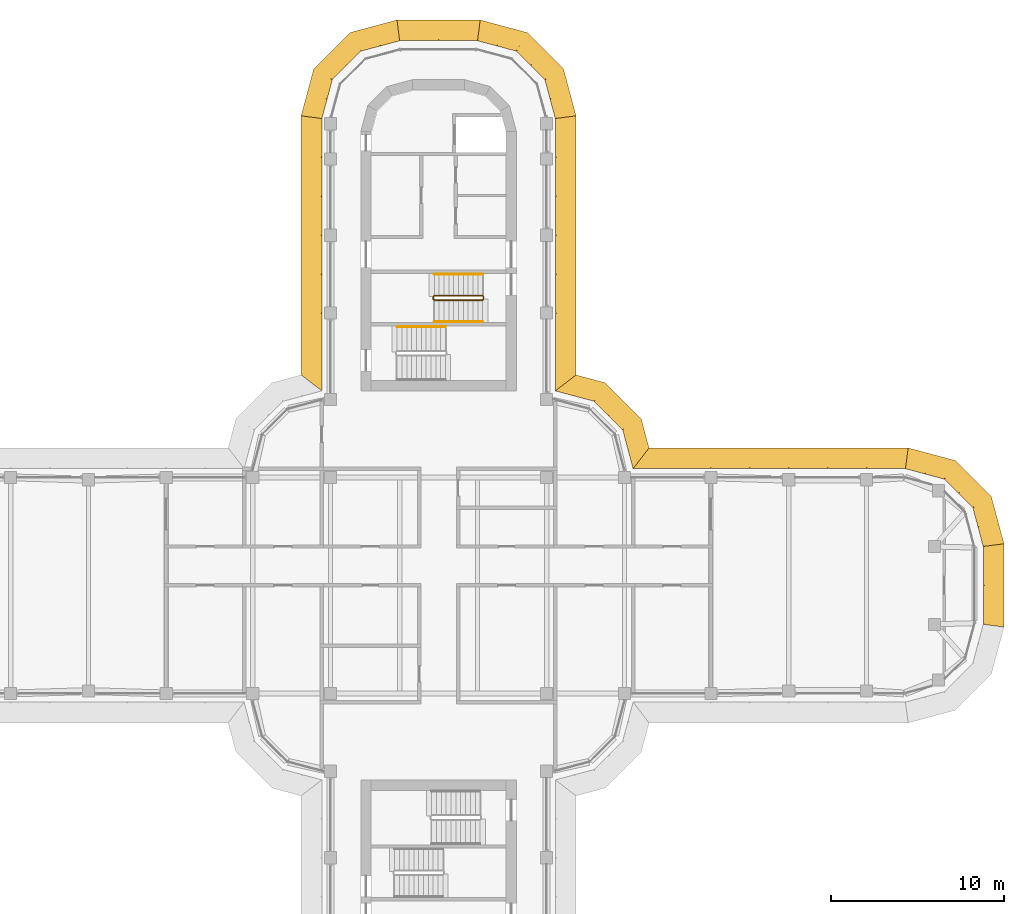
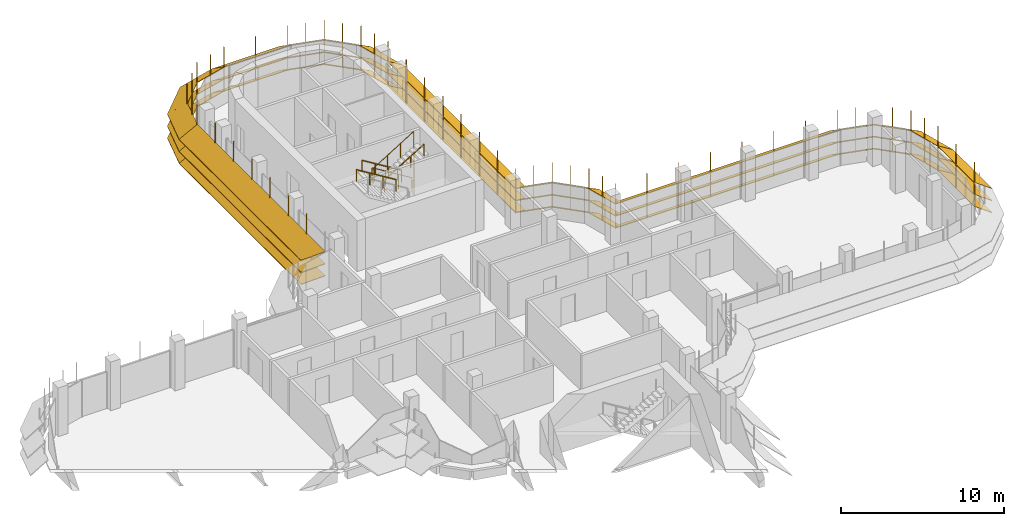
# One storey, part 18 of 18: 9 shading devices, 4 railings.
"""IFC4 building model written with IfcOpenShell, lengths in metres."""

from ifc_helpers import new_model, si_unit, direction, frame, origin, origin_2d, place, context, subcontext, project, spatial, polyline, circle, outline, extrude, faceted_brep, source, transform, mapped, material, type_object, element, save


model = new_model("IFC4")

# Units and contexts
model_context = context("Model", 3, precision=1e-05, world=origin(), true_north=direction((0.0, 1.0)))
body_context = subcontext(model_context, "Body", "Model", "MODEL_VIEW")
ifc_project = project(units=[si_unit("LENGTHUNIT", "METRE"), si_unit("AREAUNIT", "SQUARE_METRE"), si_unit("VOLUMEUNIT", "CUBIC_METRE"), si_unit("PLANEANGLEUNIT", "RADIAN"), si_unit("MASSUNIT", "GRAM", prefix="KILO")], contexts=[model_context])

# Site, building, storey
site_placement = place(None, origin())
site = spatial("IfcSite", under=ifc_project, at=site_placement, CompositionType="ELEMENT")
building_placement = place(site_placement, origin())
building = spatial("IfcBuilding", under=site, at=building_placement, Name="Zarbagh Exchange Tower", CompositionType="ELEMENT")
storey_placement = place(building_placement, frame((0.0, 0.0, 206.800048828125)))
storey = spatial("IfcBuildingStorey", under=building, at=storey_placement, Name="L50", CompositionType="ELEMENT", Elevation=206.800048828125)

# Railings
ifc_material_1 = material(Name="Stainless steel", Category="steel")
railing_type_1 = type_object("IfcRailingType", Name="Stair guard 1100 mm", PredefinedType="GUARDRAIL", material=ifc_material_1)
railing_1_placement = place(storey_placement, frame((2.550048828125, 16.75, 0.172607421875)))
element("IfcRailing", 1, at=railing_1_placement, inside=storey, type_object=railing_type_1, Name="ST1 stair guard 1", PredefinedType="GUARDRAIL", context=body_context, shape_type="SweptSolid", body=[
    extrude(circle(Radius=0.02392578125, at=origin_2d()), frame((0.0, 0.0, 1.076171875), z_axis=(-0.851089632645, 0.0, 0.525020415988), x_axis=(0.0, -1.0, 0.0)), (0.0, 0.0, 1.0), 3.2900390625),
    extrude(circle(Radius=0.02392578125, at=origin_2d()), frame((-2.800048828125, 0.0, 2.80322265625), z_axis=(-0.707106781187, -0.707106781187, 0.0), x_axis=(0.707106781187, -0.707106781187, 0.0)), (0.0, 0.0, 1.0), 0.07080078125),
    extrude(circle(Radius=0.02392578125, at=origin_2d()), frame((-2.85009765625, -0.050048828125, 2.80322265625), z_axis=(0.0, -1.0, 0.0), x_axis=(1.0, 0.0, 0.0)), (0.0, 0.0, 1.0), 0.14990234375),
    extrude(circle(Radius=0.02392578125, at=origin_2d()), frame((-2.85009765625, -0.199951171875, 2.80322265625), z_axis=(0.267953482034, -0.267953482034, 0.925419830635), x_axis=(0.707106781187, 0.707106781187, 0.0)), (0.0, 0.0, 1.0), 0.186767578125),
    extrude(circle(Radius=0.02392578125, at=origin_2d()), frame((-2.800048828125, -0.25, 2.97607421875), z_axis=(0.851089632645, 0.0, 0.525020415988), x_axis=(0.0, 1.0, 0.0)), (0.0, 0.0, 1.0), 3.2900390625),
    extrude(circle(Radius=0.02392578125, at=origin_2d()), frame((0.0, -0.25, 4.70361328125), z_axis=(0.013168290981, 0.013168290981, -0.999826581076), x_axis=(-0.707106781187, 0.707106781187, 0.0)), (0.0, 0.0, 1.0), 3.80078125),
    extrude(circle(Radius=0.02392578125, at=origin_2d()), frame((0.050048828125, -0.199951171875, 0.9033203125), z_axis=(0.0, 1.0, 0.0), x_axis=(-1.0, 0.0, 0.0)), (0.0, 0.0, 1.0), 0.14990234375),
    extrude(circle(Radius=0.02099609375, at=origin_2d()), origin(), (0.0, 0.0, 1.0), 1.052001953125),
    extrude(circle(Radius=0.02099609375, at=origin_2d()), frame((-0.933349609375, 0.0, 0.57568359375)), (0.0, 0.0, 1.0), 1.052001953125),
    extrude(circle(Radius=0.02099609375, at=origin_2d()), frame((-1.86669921875, 0.0, 1.151611328125)), (0.0, 0.0, 1.0), 1.052001953125),
    extrude(circle(Radius=0.02099609375, at=origin_2d()), frame((-2.800048828125, 0.0, 1.727294921875)), (0.0, 0.0, 1.0), 1.052001953125),
    extrude(circle(Radius=0.02099609375, at=origin_2d()), frame((-2.85009765625, -0.050048828125, 1.727294921875)), (0.0, 0.0, 1.0), 1.052001953125),
    extrude(circle(Radius=0.02099609375, at=origin_2d()), frame((-2.85009765625, -0.199951171875, 1.727294921875)), (0.0, 0.0, 1.0), 1.052001953125),
    extrude(circle(Radius=0.02099609375, at=origin_2d()), frame((-2.800048828125, -0.25, 1.900146484375)), (0.0, 0.0, 1.0), 1.052001953125),
    extrude(circle(Radius=0.02099609375, at=origin_2d()), frame((-1.86669921875, -0.25, 2.475830078125)), (0.0, 0.0, 1.0), 1.052001953125),
    extrude(circle(Radius=0.02099609375, at=origin_2d()), frame((-0.933349609375, -0.25, 3.0517578125)), (0.0, 0.0, 1.0), 1.052001953125),
    extrude(circle(Radius=0.02099609375, at=origin_2d()), frame((0.0, -0.25, 3.62744140625)), (0.0, 0.0, 1.0), 1.052001953125),
    extrude(circle(Radius=0.02099609375, at=origin_2d()), frame((0.012451171875, -0.237548828125, 2.677490234375)), (0.0, 0.0, 1.0), 1.052001953125),
    extrude(circle(Radius=0.02099609375, at=origin_2d()), frame((0.02490234375, -0.22509765625, 1.7275390625)), (0.0, 0.0, 1.0), 1.052001953125),
    extrude(circle(Radius=0.02099609375, at=origin_2d()), frame((0.03759765625, -0.21240234375, 0.77734375)), (0.0, 0.0, 1.0), 1.052001953125),
    extrude(circle(Radius=0.02099609375, at=origin_2d()), frame((0.050048828125, -0.199951171875, -0.172607421875)), (0.0, 0.0, 1.0), 1.052001953125),
    extrude(circle(Radius=0.02099609375, at=origin_2d()), frame((0.050048828125, -0.050048828125, -0.172607421875)), (0.0, 0.0, 1.0), 1.052001953125),
])
railing_type_2 = type_object("IfcRailingType", Name="Stair handrail 900 mm", PredefinedType="HANDRAIL", material=ifc_material_1)
railing_2_placement = place(storey_placement, frame((2.550048828125, 18.0, 0.172607421875)))
element("IfcRailing", 2, at=railing_2_placement, inside=storey, type_object=railing_type_2, Name="ST1 stair handrail 1", PredefinedType="HANDRAIL", context=body_context, shape_type="SweptSolid", body=[
    extrude(circle(Radius=0.02392578125, at=origin_2d()), frame((0.0, 0.0, 0.8759765625), z_axis=(-0.851089632645, 0.0, 0.525020415988), x_axis=(0.0, -1.0, 0.0)), (0.0, 0.0, 1.0), 3.2900390625),
    extrude(circle(Radius=0.02099609375, at=origin_2d()), origin(), (0.0, 0.0, 1.0), 0.851806640625),
    extrude(circle(Radius=0.02099609375, at=origin_2d()), frame((-0.933349609375, 0.0, 0.57568359375)), (0.0, 0.0, 1.0), 0.851806640625),
    extrude(circle(Radius=0.02099609375, at=origin_2d()), frame((-1.86669921875, 0.0, 1.151611328125)), (0.0, 0.0, 1.0), 0.851806640625),
    extrude(circle(Radius=0.02099609375, at=origin_2d()), frame((-2.800048828125, 0.0, 1.727294921875)), (0.0, 0.0, 1.0), 0.851806640625),
])
railing_3_placement = place(storey_placement, frame((-0.25, 15.25, 2.07275390625)))
element("IfcRailing", 3, at=railing_3_placement, inside=storey, type_object=railing_type_2, Name="ST1 stair handrail 2", PredefinedType="HANDRAIL", context=body_context, shape_type="SweptSolid", body=[
    extrude(circle(Radius=0.02392578125, at=origin_2d()), frame((0.0, 0.0, 0.8759765625), z_axis=(0.851089632645, 0.0, 0.525020415988), x_axis=(0.0, 1.0, 0.0)), (0.0, 0.0, 1.0), 3.2900390625),
    extrude(circle(Radius=0.02099609375, at=origin_2d()), origin(), (0.0, 0.0, 1.0), 0.851806640625),
    extrude(circle(Radius=0.02099609375, at=origin_2d()), frame((0.933349609375, 0.0, 0.57568359375)), (0.0, 0.0, 1.0), 0.851806640625),
    extrude(circle(Radius=0.02099609375, at=origin_2d()), frame((1.86669921875, 0.0, 1.151611328125)), (0.0, 0.0, 1.0), 0.851806640625),
    extrude(circle(Radius=0.02099609375, at=origin_2d()), frame((2.800048828125, 0.0, 1.727294921875)), (0.0, 0.0, 1.0), 0.851806640625),
])
railing_4_placement = place(storey_placement, frame((0.39990234375, 14.949951171875, 2.07275390625)))
element("IfcRailing", 4, at=railing_4_placement, inside=storey, type_object=railing_type_2, Name="ST2 stair handrail 2", PredefinedType="HANDRAIL", context=body_context, shape_type="SweptSolid", body=[
    extrude(circle(Radius=0.02392578125, at=origin_2d()), frame((0.0, 0.0, 0.8759765625), z_axis=(-0.851069175582, 0.0, 0.525053576669), x_axis=(0.0, -1.0, 0.0)), (0.0, 0.0, 1.0), 3.289794921875),
    extrude(circle(Radius=0.02099609375, at=origin_2d()), origin(), (0.0, 0.0, 1.0), 0.851806640625),
    extrude(circle(Radius=0.02099609375, at=origin_2d()), frame((-0.933349609375, 0.0, 0.57568359375)), (0.0, 0.0, 1.0), 0.851806640625),
    extrude(circle(Radius=0.02099609375, at=origin_2d()), frame((-1.866455078125, 0.0, 1.151611328125)), (0.0, 0.0, 1.0), 0.851806640625),
    extrude(circle(Radius=0.02099609375, at=origin_2d()), frame((-2.7998046875, 0.0, 1.727294921875)), (0.0, 0.0, 1.0), 0.851806640625),
])

# Shading devices
ifc_material_2 = material(Name="Anodised aluminium blades and brackets", Category="aluminium")
shading_device_type = type_object("IfcShadingDeviceType", Name="SUNSHADE louvre band, 33.75 degree blades", PredefinedType="JALOUSIE", material=ifc_material_2)
shared_shape_1 = source(origin(), body_context, "Body", "Brep", [
    faceted_brep([(0.0, 0.0, 0.0), (0.0, 0.0, -0.048095703125), (-0.157958984375, -1.199951171875, -0.849853515625), (-0.157958984375, -1.199951171875, -0.8017578125), (2.65087890625, -1.199951171875, -0.8017578125), (2.65087890625, -1.199951171875, -0.849853515625), (2.329345703125, 0.0, -0.048095703125), (2.329345703125, 0.0, 0.0)], [[[0, 1, 2, 3]], [[4, 5, 6, 7]], [[0, 7, 6, 1]], [[1, 6, 5, 2]], [[2, 5, 4, 3]], [[3, 4, 7, 0]]]),
])
shared_shape_2 = source(origin(), body_context, "Body", "Brep", [
    faceted_brep([(0.0, 0.0, 0.0), (0.0, 0.0, -0.048095703125), (-0.321533203125, -1.199951171875, -0.849853515625), (-0.321533203125, -1.199951171875, -0.8017578125), (2.65087890625, -1.199951171875, -0.8017578125), (2.65087890625, -1.199951171875, -0.849853515625), (2.329345703125, 0.0, -0.048095703125), (2.329345703125, 0.0, 0.0)], [[[0, 1, 2, 3]], [[4, 5, 6, 7]], [[0, 7, 6, 1]], [[1, 6, 5, 2]], [[2, 5, 4, 3]], [[3, 4, 7, 0]]]),
])
shared_shape_3 = source(origin(), body_context, "Body", "Brep", [
    faceted_brep([(0.0, 0.0, 0.0), (0.0, 0.0, -0.048095703125), (-0.321533203125, -1.199951171875, -0.849853515625), (-0.321533203125, -1.199951171875, -0.8017578125), (2.4873046875, -1.199951171875, -0.8017578125), (2.4873046875, -1.199951171875, -0.849853515625), (2.329345703125, 0.0, -0.048095703125), (2.329345703125, 0.0, 0.0)], [[[0, 1, 2, 3]], [[4, 5, 6, 7]], [[0, 7, 6, 1]], [[1, 6, 5, 2]], [[2, 5, 4, 3]], [[3, 4, 7, 0]]]),
])
shared_shape_4 = source(origin(), body_context, "Body", "SweptSolid", [
    extrude(outline(polyline([(0.0, -0.012451171875), (0.06005859375, -0.012451171875), (0.06005859375, 0.012451171875), (0.0, 0.012451171875), (0.0, -0.012451171875)])), origin(), (0.0, 0.0, 1.0), 3.358154296875),
])
placement = place(storey_placement, origin())
element("IfcShadingDevice", 5, at=placement, inside=storey, type_object=shading_device_type, Name="SS33 sunshade band", PredefinedType="JALOUSIE", context=body_context, shape_type="MappedRepresentation", body=[
    mapped(shared_shape_1, transform((31.5, 2.25, 2.300048828125), x_axis=(-0.258824779902, 0.965924289636, 0.0), y_axis=(-0.965924289636, -0.258824779902, 0.0), z_axis=(0.0, 0.0, 1.0))),
    mapped(shared_shape_1, transform((31.5, 2.25, 1.39990234375), x_axis=(-0.258824779902, 0.965924289636, 0.0), y_axis=(-0.965924289636, -0.258824779902, 0.0), z_axis=(0.0, 0.0, 1.0))),
    mapped(shared_shape_1, transform((31.5, 2.25, 0.5), x_axis=(-0.258824779902, 0.965924289636, 0.0), y_axis=(-0.965924289636, -0.258824779902, 0.0), z_axis=(0.0, 0.0, 1.0))),
    mapped(shared_shape_2, transform((30.897216796875, 4.5, 2.300048828125), x_axis=(-0.707106781187, 0.707106781187, 0.0), y_axis=(-0.707106781187, -0.707106781187, 0.0), z_axis=(0.0, 0.0, 1.0))),
    mapped(shared_shape_2, transform((30.897216796875, 4.5, 1.39990234375), x_axis=(-0.707106781187, 0.707106781187, 0.0), y_axis=(-0.707106781187, -0.707106781187, 0.0), z_axis=(0.0, 0.0, 1.0))),
    mapped(shared_shape_2, transform((30.897216796875, 4.5, 0.5), x_axis=(-0.707106781187, 0.707106781187, 0.0), y_axis=(-0.707106781187, -0.707106781187, 0.0), z_axis=(0.0, 0.0, 1.0))),
    mapped(shared_shape_3, transform((29.25, 6.147216796875, 2.300048828125), x_axis=(-0.965924289636, 0.258824779902, 0.0), y_axis=(-0.258824779902, -0.965924289636, 0.0), z_axis=(0.0, 0.0, 1.0))),
    mapped(shared_shape_3, transform((29.25, 6.147216796875, 1.39990234375), x_axis=(-0.965924289636, 0.258824779902, 0.0), y_axis=(-0.258824779902, -0.965924289636, 0.0), z_axis=(0.0, 0.0, 1.0))),
    mapped(shared_shape_3, transform((29.25, 6.147216796875, 0.5), x_axis=(-0.965924289636, 0.258824779902, 0.0), y_axis=(-0.258824779902, -0.965924289636, 0.0), z_axis=(0.0, 0.0, 1.0))),
    mapped(shared_shape_4, transform((31.5, 2.25, 0.421875), x_axis=(0.991444457092, 0.130529263012, 0.0), y_axis=(-0.130529263012, 0.991444457092, 0.0), z_axis=(0.0, 0.0, 1.0))),
    mapped(shared_shape_4, transform((31.198486328125, 3.375, 0.421875), x_axis=(0.96592421511, 0.258825058029, 0.0), y_axis=(-0.258825058029, 0.96592421511, 0.0), z_axis=(0.0, 0.0, 1.0))),
    mapped(shared_shape_4, transform((30.897216796875, 4.5, 0.421875), x_axis=(0.866023812018, 0.50000275701, 0.0), y_axis=(-0.50000275701, 0.866023812018, 0.0), z_axis=(0.0, 0.0, 1.0))),
    mapped(shared_shape_4, transform((30.073486328125, 5.323486328125, 0.421875), x_axis=(0.707106781187, 0.707106781187, 0.0), y_axis=(-0.707106781187, 0.707106781187, 0.0), z_axis=(0.0, 0.0, 1.0))),
    mapped(shared_shape_4, transform((29.25, 6.147216796875, 0.421875), x_axis=(0.50000275701, 0.866023812018, 0.0), y_axis=(-0.866023812018, 0.50000275701, 0.0), z_axis=(0.0, 0.0, 1.0))),
    mapped(shared_shape_4, transform((28.125, 6.448486328125, 0.421875), x_axis=(0.258825058029, 0.96592421511, 0.0), y_axis=(-0.96592421511, 0.258825058029, 0.0), z_axis=(0.0, 0.0, 1.0))),
])
element("IfcShadingDevice", 6, at=placement, inside=storey, type_object=shading_device_type, Name="SS26 sunshade band", PredefinedType="JALOUSIE", context=body_context, shape_type="MappedRepresentation", body=[
    mapped(shared_shape_1, transform((6.75, 27.0, 2.300048828125), x_axis=(-0.258824779902, 0.965924289636, 0.0), y_axis=(-0.965924289636, -0.258824779902, 0.0), z_axis=(0.0, 0.0, 1.0))),
    mapped(shared_shape_1, transform((6.75, 27.0, 1.39990234375), x_axis=(-0.258824779902, 0.965924289636, 0.0), y_axis=(-0.965924289636, -0.258824779902, 0.0), z_axis=(0.0, 0.0, 1.0))),
    mapped(shared_shape_1, transform((6.75, 27.0, 0.5), x_axis=(-0.258824779902, 0.965924289636, 0.0), y_axis=(-0.965924289636, -0.258824779902, 0.0), z_axis=(0.0, 0.0, 1.0))),
    mapped(shared_shape_2, transform((6.147216796875, 29.25, 2.300048828125), x_axis=(-0.707106781187, 0.707106781187, 0.0), y_axis=(-0.707106781187, -0.707106781187, 0.0), z_axis=(0.0, 0.0, 1.0))),
    mapped(shared_shape_2, transform((6.147216796875, 29.25, 1.39990234375), x_axis=(-0.707106781187, 0.707106781187, 0.0), y_axis=(-0.707106781187, -0.707106781187, 0.0), z_axis=(0.0, 0.0, 1.0))),
    mapped(shared_shape_2, transform((6.147216796875, 29.25, 0.5), x_axis=(-0.707106781187, 0.707106781187, 0.0), y_axis=(-0.707106781187, -0.707106781187, 0.0), z_axis=(0.0, 0.0, 1.0))),
    mapped(shared_shape_3, transform((4.5, 30.897216796875, 2.300048828125), x_axis=(-0.965924289636, 0.258824779902, 0.0), y_axis=(-0.258824779902, -0.965924289636, 0.0), z_axis=(0.0, 0.0, 1.0))),
    mapped(shared_shape_3, transform((4.5, 30.897216796875, 1.39990234375), x_axis=(-0.965924289636, 0.258824779902, 0.0), y_axis=(-0.258824779902, -0.965924289636, 0.0), z_axis=(0.0, 0.0, 1.0))),
    mapped(shared_shape_3, transform((4.5, 30.897216796875, 0.5), x_axis=(-0.965924289636, 0.258824779902, 0.0), y_axis=(-0.258824779902, -0.965924289636, 0.0), z_axis=(0.0, 0.0, 1.0))),
    mapped(shared_shape_4, transform((6.75, 27.0, 0.421875), x_axis=(0.991444457092, 0.130529263012, 0.0), y_axis=(-0.130529263012, 0.991444457092, 0.0), z_axis=(0.0, 0.0, 1.0))),
    mapped(shared_shape_4, transform((6.448486328125, 28.125, 0.421875), x_axis=(0.96592421511, 0.258825058029, 0.0), y_axis=(-0.258825058029, 0.96592421511, 0.0), z_axis=(0.0, 0.0, 1.0))),
    mapped(shared_shape_4, transform((6.147216796875, 29.25, 0.421875), x_axis=(0.866023812018, 0.50000275701, 0.0), y_axis=(-0.50000275701, 0.866023812018, 0.0), z_axis=(0.0, 0.0, 1.0))),
    mapped(shared_shape_4, transform((5.323486328125, 30.073486328125, 0.421875), x_axis=(0.707106781187, 0.707106781187, 0.0), y_axis=(-0.707106781187, 0.707106781187, 0.0), z_axis=(0.0, 0.0, 1.0))),
    mapped(shared_shape_4, transform((4.5, 30.897216796875, 0.421875), x_axis=(0.50000275701, 0.866023812018, 0.0), y_axis=(-0.866023812018, 0.50000275701, 0.0), z_axis=(0.0, 0.0, 1.0))),
    mapped(shared_shape_4, transform((3.375, 31.198486328125, 0.421875), x_axis=(0.258825058029, 0.96592421511, 0.0), y_axis=(-0.96592421511, 0.258825058029, 0.0), z_axis=(0.0, 0.0, 1.0))),
])
element("IfcShadingDevice", 7, at=placement, inside=storey, type_object=shading_device_type, Name="SS28 sunshade band", PredefinedType="JALOUSIE", context=body_context, shape_type="MappedRepresentation", body=[
    mapped(shared_shape_1, transform((-2.25, 31.5, 2.300048828125), x_axis=(-0.965924289636, -0.258824779902, 0.0), y_axis=(0.258824779902, -0.965924289636, 0.0), z_axis=(0.0, 0.0, 1.0))),
    mapped(shared_shape_1, transform((-2.25, 31.5, 1.39990234375), x_axis=(-0.965924289636, -0.258824779902, 0.0), y_axis=(0.258824779902, -0.965924289636, 0.0), z_axis=(0.0, 0.0, 1.0))),
    mapped(shared_shape_1, transform((-2.25, 31.5, 0.5), x_axis=(-0.965924289636, -0.258824779902, 0.0), y_axis=(0.258824779902, -0.965924289636, 0.0), z_axis=(0.0, 0.0, 1.0))),
    mapped(shared_shape_2, transform((-4.5, 30.897216796875, 2.300048828125), x_axis=(-0.707106781187, -0.707106781187, 0.0), y_axis=(0.707106781187, -0.707106781187, 0.0), z_axis=(0.0, 0.0, 1.0))),
    mapped(shared_shape_2, transform((-4.5, 30.897216796875, 1.39990234375), x_axis=(-0.707106781187, -0.707106781187, 0.0), y_axis=(0.707106781187, -0.707106781187, 0.0), z_axis=(0.0, 0.0, 1.0))),
    mapped(shared_shape_2, transform((-4.5, 30.897216796875, 0.5), x_axis=(-0.707106781187, -0.707106781187, 0.0), y_axis=(0.707106781187, -0.707106781187, 0.0), z_axis=(0.0, 0.0, 1.0))),
    mapped(shared_shape_3, transform((-6.147216796875, 29.25, 2.300048828125), x_axis=(-0.258824779902, -0.965924289636, 0.0), y_axis=(0.965924289636, -0.258824779902, 0.0), z_axis=(0.0, 0.0, 1.0))),
    mapped(shared_shape_3, transform((-6.147216796875, 29.25, 1.39990234375), x_axis=(-0.258824779902, -0.965924289636, 0.0), y_axis=(0.965924289636, -0.258824779902, 0.0), z_axis=(0.0, 0.0, 1.0))),
    mapped(shared_shape_3, transform((-6.147216796875, 29.25, 0.5), x_axis=(-0.258824779902, -0.965924289636, 0.0), y_axis=(0.965924289636, -0.258824779902, 0.0), z_axis=(0.0, 0.0, 1.0))),
    mapped(shared_shape_4, transform((-2.25, 31.5, 0.421875), x_axis=(-0.130529263012, 0.991444457092, 0.0), y_axis=(-0.991444457092, -0.130529263012, 0.0), z_axis=(0.0, 0.0, 1.0))),
    mapped(shared_shape_4, transform((-3.375, 31.198486328125, 0.421875), x_axis=(-0.258825058029, 0.96592421511, 0.0), y_axis=(-0.96592421511, -0.258825058029, 0.0), z_axis=(0.0, 0.0, 1.0))),
    mapped(shared_shape_4, transform((-4.5, 30.897216796875, 0.421875), x_axis=(-0.50000275701, 0.866023812018, 0.0), y_axis=(-0.866023812018, -0.50000275701, 0.0), z_axis=(0.0, 0.0, 1.0))),
    mapped(shared_shape_4, transform((-5.323486328125, 30.073486328125, 0.421875), x_axis=(-0.707106781187, 0.707106781187, 0.0), y_axis=(-0.707106781187, -0.707106781187, 0.0), z_axis=(0.0, 0.0, 1.0))),
    mapped(shared_shape_4, transform((-6.147216796875, 29.25, 0.421875), x_axis=(-0.866023812018, 0.50000275701, 0.0), y_axis=(-0.50000275701, -0.866023812018, 0.0), z_axis=(0.0, 0.0, 1.0))),
    mapped(shared_shape_4, transform((-6.448486328125, 28.125, 0.421875), x_axis=(-0.96592421511, 0.258825058029, 0.0), y_axis=(-0.258825058029, -0.96592421511, 0.0), z_axis=(0.0, 0.0, 1.0))),
])
shared_shape_5 = source(origin(), body_context, "Body", "Brep", [
    faceted_brep([(0.0, 0.0, 0.0), (0.0, 0.0, -0.048095703125), (0.9208984375, -1.199951171875, -0.849853515625), (0.9208984375, -1.199951171875, -0.8017578125), (2.65087890625, -1.199951171875, -0.8017578125), (2.65087890625, -1.199951171875, -0.849853515625), (2.329345703125, 0.0, -0.048095703125), (2.329345703125, 0.0, 0.0)], [[[0, 1, 2, 3]], [[4, 5, 6, 7]], [[0, 7, 6, 1]], [[1, 6, 5, 2]], [[2, 5, 4, 3]], [[3, 4, 7, 0]]]),
])
shared_shape_6 = source(origin(), body_context, "Body", "Brep", [
    faceted_brep([(0.0, 0.0, 0.0), (0.0, 0.0, -0.048095703125), (-0.321533203125, -1.199951171875, -0.849853515625), (-0.321533203125, -1.199951171875, -0.8017578125), (1.40869140625, -1.199951171875, -0.8017578125), (1.40869140625, -1.199951171875, -0.849853515625), (2.329345703125, 0.0, -0.048095703125), (2.329345703125, 0.0, 0.0)], [[[0, 1, 2, 3]], [[4, 5, 6, 7]], [[0, 7, 6, 1]], [[1, 6, 5, 2]], [[2, 5, 4, 3]], [[3, 4, 7, 0]]]),
])
element("IfcShadingDevice", 8, at=placement, inside=storey, type_object=shading_device_type, Name="SS09 sunshade band", PredefinedType="JALOUSIE", context=body_context, shape_type="MappedRepresentation", body=[
    mapped(shared_shape_5, transform((11.25, 6.75, 2.300048828125), x_axis=(-0.258824779902, 0.965924289636, 0.0), y_axis=(-0.965924289636, -0.258824779902, 0.0), z_axis=(0.0, 0.0, 1.0))),
    mapped(shared_shape_5, transform((11.25, 6.75, 1.39990234375), x_axis=(-0.258824779902, 0.965924289636, 0.0), y_axis=(-0.965924289636, -0.258824779902, 0.0), z_axis=(0.0, 0.0, 1.0))),
    mapped(shared_shape_5, transform((11.25, 6.75, 0.5), x_axis=(-0.258824779902, 0.965924289636, 0.0), y_axis=(-0.965924289636, -0.258824779902, 0.0), z_axis=(0.0, 0.0, 1.0))),
    mapped(shared_shape_2, transform((10.647216796875, 9.0, 2.300048828125), x_axis=(-0.707106781187, 0.707106781187, 0.0), y_axis=(-0.707106781187, -0.707106781187, 0.0), z_axis=(0.0, 0.0, 1.0))),
    mapped(shared_shape_2, transform((10.647216796875, 9.0, 1.39990234375), x_axis=(-0.707106781187, 0.707106781187, 0.0), y_axis=(-0.707106781187, -0.707106781187, 0.0), z_axis=(0.0, 0.0, 1.0))),
    mapped(shared_shape_2, transform((10.647216796875, 9.0, 0.5), x_axis=(-0.707106781187, 0.707106781187, 0.0), y_axis=(-0.707106781187, -0.707106781187, 0.0), z_axis=(0.0, 0.0, 1.0))),
    mapped(shared_shape_6, transform((9.0, 10.647216796875, 2.300048828125), x_axis=(-0.965924289636, 0.258824779902, 0.0), y_axis=(-0.258824779902, -0.965924289636, 0.0), z_axis=(0.0, 0.0, 1.0))),
    mapped(shared_shape_6, transform((9.0, 10.647216796875, 1.39990234375), x_axis=(-0.965924289636, 0.258824779902, 0.0), y_axis=(-0.258824779902, -0.965924289636, 0.0), z_axis=(0.0, 0.0, 1.0))),
    mapped(shared_shape_6, transform((9.0, 10.647216796875, 0.5), x_axis=(-0.965924289636, 0.258824779902, 0.0), y_axis=(-0.258824779902, -0.965924289636, 0.0), z_axis=(0.0, 0.0, 1.0))),
    mapped(shared_shape_4, transform((11.25, 6.75, 0.421875), x_axis=(0.608758892, 0.793355287, 0.0), y_axis=(-0.793355287, 0.608758892, 0.0), z_axis=(0.0, 0.0, 1.0))),
    mapped(shared_shape_4, transform((10.948486328125, 7.875, 0.421875), x_axis=(0.96592421511, 0.258825058029, 0.0), y_axis=(-0.258825058029, 0.96592421511, 0.0), z_axis=(0.0, 0.0, 1.0))),
    mapped(shared_shape_4, transform((10.647216796875, 9.0, 0.421875), x_axis=(0.866023812018, 0.50000275701, 0.0), y_axis=(-0.50000275701, 0.866023812018, 0.0), z_axis=(0.0, 0.0, 1.0))),
    mapped(shared_shape_4, transform((9.823486328125, 9.823486328125, 0.421875), x_axis=(0.707106781187, 0.707106781187, 0.0), y_axis=(-0.707106781187, 0.707106781187, 0.0), z_axis=(0.0, 0.0, 1.0))),
    mapped(shared_shape_4, transform((9.0, 10.647216796875, 0.421875), x_axis=(0.50000275701, 0.866023812018, 0.0), y_axis=(-0.866023812018, 0.50000275701, 0.0), z_axis=(0.0, 0.0, 1.0))),
    mapped(shared_shape_4, transform((7.875, 10.948486328125, 0.421875), x_axis=(0.258825058029, 0.96592421511, 0.0), y_axis=(-0.96592421511, 0.258825058029, 0.0), z_axis=(0.0, 0.0, 1.0))),
])
shared_shape_7 = source(origin(), body_context, "Body", "Brep", [
    faceted_brep([(0.0, 0.0, 0.0), (0.0, 0.0, -0.048095703125), (-0.157958984375, -1.199951171875, -0.849853515625), (-0.157958984375, -1.199951171875, -0.8017578125), (4.657958984375, -1.199951171875, -0.8017578125), (4.657958984375, -1.199951171875, -0.849853515625), (4.5, 0.0, -0.048095703125), (4.5, 0.0, 0.0)], [[[0, 1, 2, 3]], [[4, 5, 6, 7]], [[0, 7, 6, 1]], [[1, 6, 5, 2]], [[2, 5, 4, 3]], [[3, 4, 7, 0]]]),
])
element("IfcShadingDevice", 9, at=placement, inside=storey, type_object=shading_device_type, Name="SS32 sunshade band", PredefinedType="JALOUSIE", context=body_context, shape_type="MappedRepresentation", body=[
    mapped(shared_shape_7, transform((31.5, -2.25, 2.300048828125), x_axis=(0.0, 1.0, 0.0), y_axis=(-1.0, 0.0, 0.0), z_axis=(0.0, 0.0, 1.0))),
    mapped(shared_shape_7, transform((31.5, -2.25, 1.39990234375), x_axis=(0.0, 1.0, 0.0), y_axis=(-1.0, 0.0, 0.0), z_axis=(0.0, 0.0, 1.0))),
    mapped(shared_shape_7, transform((31.5, -2.25, 0.5), x_axis=(0.0, 1.0, 0.0), y_axis=(-1.0, 0.0, 0.0), z_axis=(0.0, 0.0, 1.0))),
    mapped(shared_shape_4, transform((31.5, -2.25, 0.421875), x_axis=(0.991444457092, -0.130529263012, 0.0), y_axis=(0.130529263012, 0.991444457092, 0.0), z_axis=(0.0, 0.0, 1.0))),
    mapped(shared_shape_4, transform((31.5, 0.0, 0.421875), x_axis=(1.0, 0.0, 0.0), y_axis=(0.0, 1.0, 0.0), z_axis=(0.0, 0.0, 1.0))),
])
shared_shape_8 = source(origin(), body_context, "Body", "Brep", [
    faceted_brep([(0.0, 0.0, 0.0), (0.0, 0.0, -0.048095703125), (-0.157958984375, -1.199951171875, -0.849853515625), (-0.157958984375, -1.199951171875, -0.8017578125), (14.8291015625, -1.199951171875, -0.8017578125), (14.8291015625, -1.199951171875, -0.849853515625), (15.75, 0.0, -0.048095703125), (15.75, 0.0, 0.0)], [[[0, 1, 2, 3]], [[4, 5, 6, 7]], [[0, 7, 6, 1]], [[1, 6, 5, 2]], [[2, 5, 4, 3]], [[3, 4, 7, 0]]]),
])
element("IfcShadingDevice", 10, at=placement, inside=storey, type_object=shading_device_type, Name="SS34 sunshade band", PredefinedType="JALOUSIE", context=body_context, shape_type="MappedRepresentation", body=[
    mapped(shared_shape_8, transform((27.0, 6.75, 2.300048828125), x_axis=(-1.0, 0.0, 0.0), y_axis=(0.0, -1.0, 0.0), z_axis=(0.0, 0.0, 1.0))),
    mapped(shared_shape_8, transform((27.0, 6.75, 1.39990234375), x_axis=(-1.0, 0.0, 0.0), y_axis=(0.0, -1.0, 0.0), z_axis=(0.0, 0.0, 1.0))),
    mapped(shared_shape_8, transform((27.0, 6.75, 0.5), x_axis=(-1.0, 0.0, 0.0), y_axis=(0.0, -1.0, 0.0), z_axis=(0.0, 0.0, 1.0))),
    mapped(shared_shape_4, transform((27.0, 6.75, 0.421875), x_axis=(0.130529263012, 0.991444457092, 0.0), y_axis=(-0.991444457092, 0.130529263012, 0.0), z_axis=(0.0, 0.0, 1.0))),
    mapped(shared_shape_4, transform((24.75, 6.75, 0.421875), x_axis=(0.0, 1.0, 0.0), y_axis=(-1.0, 0.0, 0.0), z_axis=(0.0, 0.0, 1.0))),
    mapped(shared_shape_4, transform((22.5, 6.75, 0.421875), x_axis=(0.0, 1.0, 0.0), y_axis=(-1.0, 0.0, 0.0), z_axis=(0.0, 0.0, 1.0))),
    mapped(shared_shape_4, transform((20.25, 6.75, 0.421875), x_axis=(0.0, 1.0, 0.0), y_axis=(-1.0, 0.0, 0.0), z_axis=(0.0, 0.0, 1.0))),
    mapped(shared_shape_4, transform((18.0, 6.75, 0.421875), x_axis=(0.0, 1.0, 0.0), y_axis=(-1.0, 0.0, 0.0), z_axis=(0.0, 0.0, 1.0))),
    mapped(shared_shape_4, transform((15.75, 6.75, 0.421875), x_axis=(0.0, 1.0, 0.0), y_axis=(-1.0, 0.0, 0.0), z_axis=(0.0, 0.0, 1.0))),
    mapped(shared_shape_4, transform((13.5, 6.75, 0.421875), x_axis=(0.0, 1.0, 0.0), y_axis=(-1.0, 0.0, 0.0), z_axis=(0.0, 0.0, 1.0))),
])
shared_shape_9 = source(origin(), body_context, "Body", "Brep", [
    faceted_brep([(0.0, 0.0, 0.0), (0.0, 0.0, -0.048095703125), (0.9208984375, -1.199951171875, -0.849853515625), (0.9208984375, -1.199951171875, -0.8017578125), (15.907958984375, -1.199951171875, -0.8017578125), (15.907958984375, -1.199951171875, -0.849853515625), (15.75, 0.0, -0.048095703125), (15.75, 0.0, 0.0)], [[[0, 1, 2, 3]], [[4, 5, 6, 7]], [[0, 7, 6, 1]], [[1, 6, 5, 2]], [[2, 5, 4, 3]], [[3, 4, 7, 0]]]),
])
element("IfcShadingDevice", 11, at=placement, inside=storey, type_object=shading_device_type, Name="SS25 sunshade band", PredefinedType="JALOUSIE", context=body_context, shape_type="MappedRepresentation", body=[
    mapped(shared_shape_9, transform((6.75, 11.25, 2.300048828125), x_axis=(0.0, 1.0, 0.0), y_axis=(-1.0, 0.0, 0.0), z_axis=(0.0, 0.0, 1.0))),
    mapped(shared_shape_9, transform((6.75, 11.25, 1.39990234375), x_axis=(0.0, 1.0, 0.0), y_axis=(-1.0, 0.0, 0.0), z_axis=(0.0, 0.0, 1.0))),
    mapped(shared_shape_9, transform((6.75, 11.25, 0.5), x_axis=(0.0, 1.0, 0.0), y_axis=(-1.0, 0.0, 0.0), z_axis=(0.0, 0.0, 1.0))),
    mapped(shared_shape_4, transform((6.75, 11.25, 0.421875), x_axis=(0.793355287, 0.608758892, 0.0), y_axis=(-0.608758892, 0.793355287, 0.0), z_axis=(0.0, 0.0, 1.0))),
    mapped(shared_shape_4, transform((6.75, 13.5, 0.421875), x_axis=(1.0, 0.0, 0.0), y_axis=(0.0, 1.0, 0.0), z_axis=(0.0, 0.0, 1.0))),
    mapped(shared_shape_4, transform((6.75, 15.75, 0.421875), x_axis=(1.0, 0.0, 0.0), y_axis=(0.0, 1.0, 0.0), z_axis=(0.0, 0.0, 1.0))),
    mapped(shared_shape_4, transform((6.75, 18.0, 0.421875), x_axis=(1.0, 0.0, 0.0), y_axis=(0.0, 1.0, 0.0), z_axis=(0.0, 0.0, 1.0))),
    mapped(shared_shape_4, transform((6.75, 20.25, 0.421875), x_axis=(1.0, 0.0, 0.0), y_axis=(0.0, 1.0, 0.0), z_axis=(0.0, 0.0, 1.0))),
    mapped(shared_shape_4, transform((6.75, 22.5, 0.421875), x_axis=(1.0, 0.0, 0.0), y_axis=(0.0, 1.0, 0.0), z_axis=(0.0, 0.0, 1.0))),
    mapped(shared_shape_4, transform((6.75, 24.75, 0.421875), x_axis=(1.0, 0.0, 0.0), y_axis=(0.0, 1.0, 0.0), z_axis=(0.0, 0.0, 1.0))),
])
element("IfcShadingDevice", 12, at=placement, inside=storey, type_object=shading_device_type, Name="SS27 sunshade band", PredefinedType="JALOUSIE", context=body_context, shape_type="MappedRepresentation", body=[
    mapped(shared_shape_7, transform((2.25, 31.5, 2.300048828125), x_axis=(-1.0, 0.0, 0.0), y_axis=(0.0, -1.0, 0.0), z_axis=(0.0, 0.0, 1.0))),
    mapped(shared_shape_7, transform((2.25, 31.5, 1.39990234375), x_axis=(-1.0, 0.0, 0.0), y_axis=(0.0, -1.0, 0.0), z_axis=(0.0, 0.0, 1.0))),
    mapped(shared_shape_7, transform((2.25, 31.5, 0.5), x_axis=(-1.0, 0.0, 0.0), y_axis=(0.0, -1.0, 0.0), z_axis=(0.0, 0.0, 1.0))),
    mapped(shared_shape_4, transform((2.25, 31.5, 0.421875), x_axis=(0.130529263012, 0.991444457092, 0.0), y_axis=(-0.991444457092, 0.130529263012, 0.0), z_axis=(0.0, 0.0, 1.0))),
    mapped(shared_shape_4, transform((0.0, 31.5, 0.421875), x_axis=(0.0, 1.0, 0.0), y_axis=(-1.0, 0.0, 0.0), z_axis=(0.0, 0.0, 1.0))),
])
element("IfcShadingDevice", 13, at=placement, inside=storey, type_object=shading_device_type, Name="SS29 sunshade band", PredefinedType="JALOUSIE", context=body_context, shape_type="MappedRepresentation", body=[
    mapped(shared_shape_8, transform((-6.75, 27.0, 2.300048828125), x_axis=(0.0, -1.0, 0.0), y_axis=(1.0, 0.0, 0.0), z_axis=(0.0, 0.0, 1.0))),
    mapped(shared_shape_8, transform((-6.75, 27.0, 1.39990234375), x_axis=(0.0, -1.0, 0.0), y_axis=(1.0, 0.0, 0.0), z_axis=(0.0, 0.0, 1.0))),
    mapped(shared_shape_8, transform((-6.75, 27.0, 0.5), x_axis=(0.0, -1.0, 0.0), y_axis=(1.0, 0.0, 0.0), z_axis=(0.0, 0.0, 1.0))),
    mapped(shared_shape_4, transform((-6.75, 27.0, 0.421875), x_axis=(-0.991444457092, 0.130529263012, 0.0), y_axis=(-0.130529263012, -0.991444457092, 0.0), z_axis=(0.0, 0.0, 1.0))),
    mapped(shared_shape_4, transform((-6.75, 24.75, 0.421875), x_axis=(-1.0, 0.0, 0.0), y_axis=(0.0, -1.0, 0.0), z_axis=(0.0, 0.0, 1.0))),
    mapped(shared_shape_4, transform((-6.75, 22.5, 0.421875), x_axis=(-1.0, 0.0, 0.0), y_axis=(0.0, -1.0, 0.0), z_axis=(0.0, 0.0, 1.0))),
    mapped(shared_shape_4, transform((-6.75, 20.25, 0.421875), x_axis=(-1.0, 0.0, 0.0), y_axis=(0.0, -1.0, 0.0), z_axis=(0.0, 0.0, 1.0))),
    mapped(shared_shape_4, transform((-6.75, 18.0, 0.421875), x_axis=(-1.0, 0.0, 0.0), y_axis=(0.0, -1.0, 0.0), z_axis=(0.0, 0.0, 1.0))),
    mapped(shared_shape_4, transform((-6.75, 15.75, 0.421875), x_axis=(-1.0, 0.0, 0.0), y_axis=(0.0, -1.0, 0.0), z_axis=(0.0, 0.0, 1.0))),
    mapped(shared_shape_4, transform((-6.75, 13.5, 0.421875), x_axis=(-1.0, 0.0, 0.0), y_axis=(0.0, -1.0, 0.0), z_axis=(0.0, 0.0, 1.0))),
])

save(model, "model.ifc")
